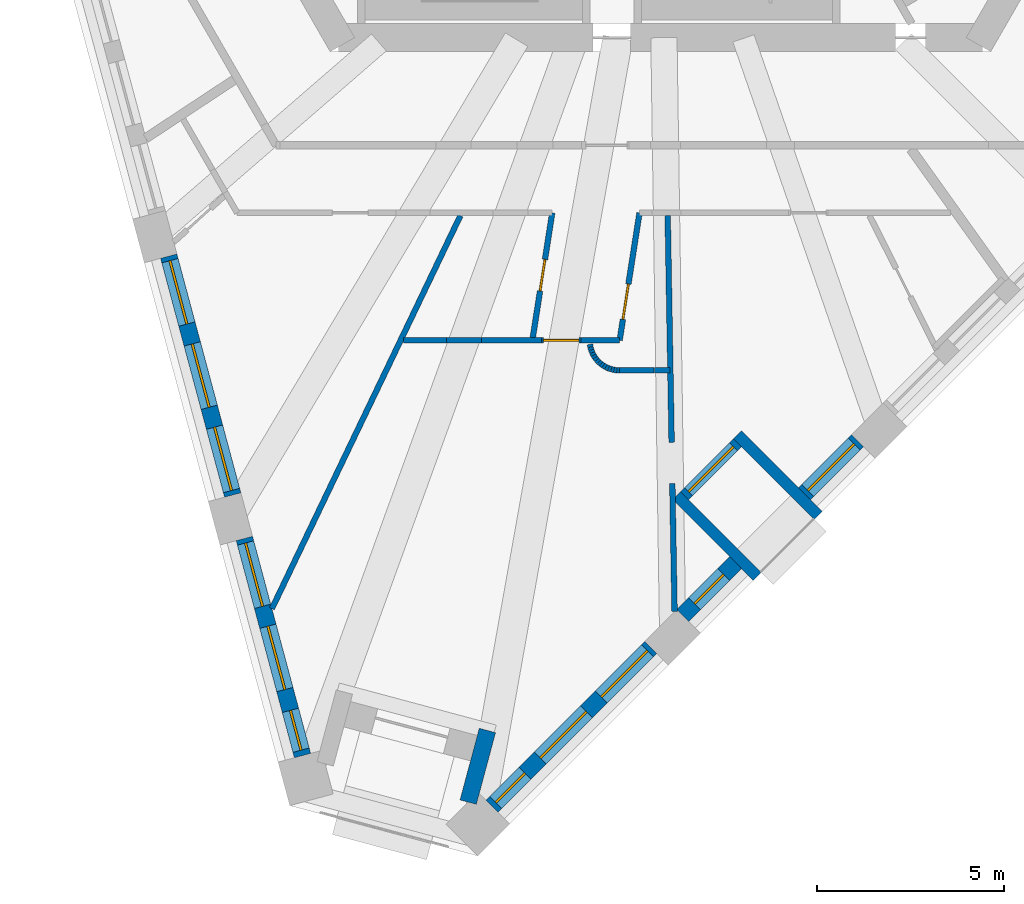
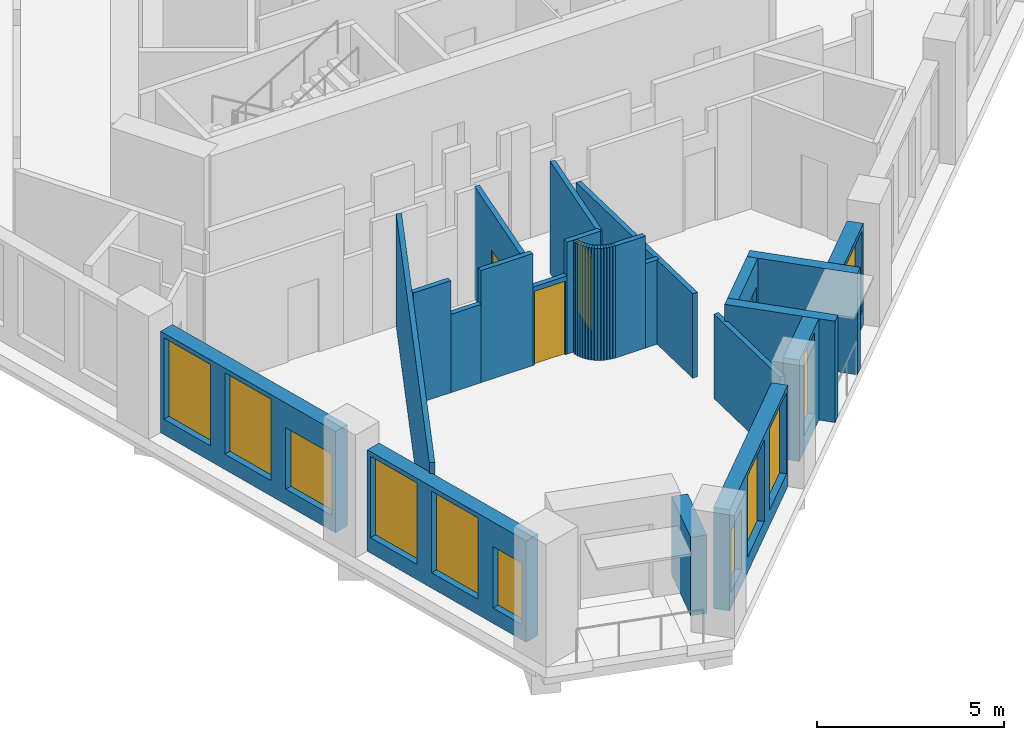
# One storey, part 2 of 13: 36 walls, 11 windows, 4 doors, 15 openings.
"""IFC4 building model written with IfcOpenShell, lengths in metres."""

from ifc_helpers import new_model, si_unit, direction, frame, frame_2d, origin, place, context, subcontext, project, spatial, rectangle, extrude, material, layer, layer_set, type_object, element, fill, save


model = new_model("IFC4")

# Units and contexts
model_context = context("Model", 3, precision=1e-05, world=origin(), true_north=direction((0.0, 1.0)))
body_context = subcontext(model_context, "Body", "Model", "MODEL_VIEW")
ifc_project = project(units=[si_unit("LENGTHUNIT", "METRE"), si_unit("AREAUNIT", "SQUARE_METRE"), si_unit("VOLUMEUNIT", "CUBIC_METRE"), si_unit("PLANEANGLEUNIT", "RADIAN"), si_unit("MASSUNIT", "GRAM", prefix="KILO")], contexts=[model_context])

# Site, building, storey
site_placement = place(None, origin())
site = spatial("IfcSite", under=ifc_project, at=site_placement, CompositionType="ELEMENT")
building_placement = place(site_placement, origin())
building = spatial("IfcBuilding", under=site, at=building_placement, Name="Tramontana Tower", CompositionType="ELEMENT")
storey_placement = place(building_placement, frame((0.0, 0.0, 216.0)))
storey = spatial("IfcBuildingStorey", under=building, at=storey_placement, Name="L50", CompositionType="ELEMENT", Elevation=216.0)

# Wall, openings, windows
ifc_material_1 = material(Name="Precast concrete 60 MPa", Category="concrete")
ifc_layer_1 = layer(ifc_material_1, 0.449951171875)
ifc_layer_set_1 = layer_set([ifc_layer_1], Name="Precast concrete 60 MPa, 450 mm")
wall_type_1 = type_object("IfcWallType", Name="EW1 Stone-faced precast wall 450", PredefinedType="SOLIDWALL", material=ifc_layer_set_1)
wall_1_placement = place(storey_placement, frame((-13.11328125, -12.2041015625, 0.0), z_axis=(0.0, 0.0, 1.0), x_axis=(0.258835402268, -0.965921443251, 0.0)))
wall_1 = element("IfcWall", 1, at=wall_1_placement, inside=storey, type_object=wall_type_1, Name="External wall L50 face 0 bay 5", PredefinedType="SOLIDWALL", context=body_context, shape_type="SweptSolid", body=[
    extrude(rectangle(XDim=6.593994140625, YDim=0.449951171875, at=frame_2d((3.296875, 0.0))), origin(), (0.0, 0.0, 1.0), 3.300048828125),
])
opening_1_placement = place(wall_1_placement, frame((0.1240234375, 0.0, 0.5)))
opening_1 = element("IfcOpeningElement", 2, at=opening_1_placement, cuts=wall_1, Name="Opening M2", PredefinedType="OPENING", context=body_context, shape_type="SweptSolid", body=[
    extrude(rectangle(XDim=1.75, YDim=2.64990234375, at=frame_2d((0.875, 1.324951171875))), frame((0.0, 0.23486328125, 0.0), z_axis=(0.0, -1.0, 0.0), x_axis=(1.0, 0.0, 0.0)), (0.0, 0.0, 1.0), 0.469970703125),
])
opening_2_placement = place(wall_1_placement, frame((2.422119140625, 0.0, 0.5)))
opening_2 = element("IfcOpeningElement", 3, at=opening_2_placement, cuts=wall_1, Name="Opening M2", PredefinedType="OPENING", context=body_context, shape_type="SweptSolid", body=[
    extrude(rectangle(XDim=1.75, YDim=2.64990234375, at=frame_2d((0.875, 1.324951171875))), frame((0.0, 0.23486328125, 0.0), z_axis=(0.0, -1.0, 0.0), x_axis=(1.0, 0.0, 0.0)), (0.0, 0.0, 1.0), 0.469970703125),
])
opening_3_placement = place(wall_1_placement, frame((4.72021484375, 0.0, 0.5)))
opening_3 = element("IfcOpeningElement", 4, at=opening_3_placement, cuts=wall_1, Name="Opening M2L", PredefinedType="OPENING", context=body_context, shape_type="SweptSolid", body=[
    extrude(rectangle(XDim=1.75, YDim=2.0, at=frame_2d((0.875, 1.0))), frame((0.0, 0.23486328125, 0.0), z_axis=(0.0, -1.0, 0.0), x_axis=(1.0, 0.0, 0.0)), (0.0, 0.0, 1.0), 0.469970703125),
])
ifc_material_2 = material(Name="Aluminum frame, double glazing unit", Category="aluminium")
window_type_1 = type_object("IfcWindowType", Name="M2 Window 1.75 x 2.65", PartitioningType="SINGLE_PANEL", PredefinedType="WINDOW", material=ifc_material_2)
window_1_placement = place(opening_1_placement, origin())
window_1 = element("IfcWindow", 5, at=window_1_placement, inside=storey, type_object=window_type_1, Name="Window M2 L50 face 0 module 13", OverallHeight=2.64990234375, OverallWidth=1.75, PartitioningType="SINGLE_PANEL", PredefinedType="WINDOW", context=body_context, shape_type="SweptSolid", body=[
    extrude(rectangle(XDim=1.75, YDim=2.64990234375, at=frame_2d((0.875, 1.324951171875))), frame((0.0, 0.030029296875, 0.0), z_axis=(0.0, -1.0, 0.0), x_axis=(1.0, 0.0, 0.0)), (0.0, 0.0, 1.0), 0.06005859375),
])
fill(opening_1, window_1)
window_2_placement = place(opening_2_placement, origin())
window_2 = element("IfcWindow", 6, at=window_2_placement, inside=storey, type_object=window_type_1, Name="Window M2 L50 face 0 module 14", OverallHeight=2.64990234375, OverallWidth=1.75, PartitioningType="SINGLE_PANEL", PredefinedType="WINDOW", context=body_context, shape_type="SweptSolid", body=[
    extrude(rectangle(XDim=1.75, YDim=2.64990234375, at=frame_2d((0.875, 1.324951171875))), frame((0.0, 0.030029296875, 0.0), z_axis=(0.0, -1.0, 0.0), x_axis=(1.0, 0.0, 0.0)), (0.0, 0.0, 1.0), 0.06005859375),
])
fill(opening_2, window_2)
ifc_material_3 = material(Name="Aluminum frame, double glazing unit", Category="aluminium")
window_type_2 = type_object("IfcWindowType", Name="M2L Window 1.75 x 2", PartitioningType="SINGLE_PANEL", PredefinedType="WINDOW", material=ifc_material_3)
window_3_placement = place(opening_3_placement, origin())
window_3 = element("IfcWindow", 7, at=window_3_placement, inside=storey, type_object=window_type_2, Name="Window M2L L50 face 0 module 15", OverallHeight=2.0, OverallWidth=1.75, PartitioningType="SINGLE_PANEL", PredefinedType="WINDOW", context=body_context, shape_type="SweptSolid", body=[
    extrude(rectangle(XDim=1.75, YDim=2.0, at=frame_2d((0.875, 1.0))), frame((0.0, 0.030029296875, 0.0), z_axis=(0.0, -1.0, 0.0), x_axis=(1.0, 0.0, 0.0)), (0.0, 0.0, 1.0), 0.06005859375),
])
fill(opening_3, window_3)

wall_2_placement = place(storey_placement, frame((-11.095947265625, -19.732666015625, 0.0), z_axis=(0.0, 0.0, 1.0), x_axis=(0.258831089404, -0.965922598948, 0.0)))
wall_2 = element("IfcWall", 8, at=wall_2_placement, inside=storey, type_object=wall_type_1, Name="External wall L50 face 0 bay 6", PredefinedType="SOLIDWALL", context=body_context, shape_type="SweptSolid", body=[
    extrude(rectangle(XDim=5.994384765625, YDim=0.449951171875, at=frame_2d((2.9970703125, 0.0))), origin(), (0.0, 0.0, 1.0), 3.300048828125),
])
opening_4_placement = place(wall_2_placement, frame((0.1240234375, 0.0, 0.5)))
opening_4 = element("IfcOpeningElement", 9, at=opening_4_placement, cuts=wall_2, Name="Opening M2", PredefinedType="OPENING", context=body_context, shape_type="SweptSolid", body=[
    extrude(rectangle(XDim=1.75, YDim=2.64990234375, at=frame_2d((0.875, 1.324951171875))), frame((0.0, 0.23486328125, 0.0), z_axis=(0.0, -1.0, 0.0), x_axis=(1.0, 0.0, 0.0)), (0.0, 0.0, 1.0), 0.469970703125),
])
opening_5_placement = place(wall_2_placement, frame((2.422119140625, 0.0, 0.5)))
opening_5 = element("IfcOpeningElement", 10, at=opening_5_placement, cuts=wall_2, Name="Opening M2", PredefinedType="OPENING", context=body_context, shape_type="SweptSolid", body=[
    extrude(rectangle(XDim=1.75, YDim=2.64990234375, at=frame_2d((0.875, 1.324951171875))), frame((0.0, 0.23486328125, 0.0), z_axis=(0.0, -1.0, 0.0), x_axis=(1.0, 0.0, 0.0)), (0.0, 0.0, 1.0), 0.469970703125),
])
opening_6_placement = place(wall_2_placement, frame((4.7451171875, 0.0, 0.5)))
opening_6 = element("IfcOpeningElement", 11, at=opening_6_placement, cuts=wall_2, Name="Opening N2L", PredefinedType="OPENING", context=body_context, shape_type="SweptSolid", body=[
    extrude(rectangle(XDim=1.10009765625, YDim=2.0, at=frame_2d((0.550048828125, 1.0))), frame((0.0, 0.23486328125, 0.0), z_axis=(0.0, -1.0, 0.0), x_axis=(1.0, 0.0, 0.0)), (0.0, 0.0, 1.0), 0.469970703125),
])
window_4_placement = place(opening_4_placement, origin())
window_4 = element("IfcWindow", 12, at=window_4_placement, inside=storey, type_object=window_type_1, Name="Window M2 L50 face 0 module 16", OverallHeight=2.64990234375, OverallWidth=1.75, PartitioningType="SINGLE_PANEL", PredefinedType="WINDOW", context=body_context, shape_type="SweptSolid", body=[
    extrude(rectangle(XDim=1.75, YDim=2.64990234375, at=frame_2d((0.875, 1.324951171875))), frame((0.0, 0.030029296875, 0.0), z_axis=(0.0, -1.0, 0.0), x_axis=(1.0, 0.0, 0.0)), (0.0, 0.0, 1.0), 0.06005859375),
])
fill(opening_4, window_4)
window_5_placement = place(opening_5_placement, origin())
window_5 = element("IfcWindow", 13, at=window_5_placement, inside=storey, type_object=window_type_1, Name="Window M2 L50 face 0 module 17", OverallHeight=2.64990234375, OverallWidth=1.75, PartitioningType="SINGLE_PANEL", PredefinedType="WINDOW", context=body_context, shape_type="SweptSolid", body=[
    extrude(rectangle(XDim=1.75, YDim=2.64990234375, at=frame_2d((0.875, 1.324951171875))), frame((0.0, 0.030029296875, 0.0), z_axis=(0.0, -1.0, 0.0), x_axis=(1.0, 0.0, 0.0)), (0.0, 0.0, 1.0), 0.06005859375),
])
fill(opening_5, window_5)
ifc_material_4 = material(Name="Aluminum frame, double glazing unit", Category="aluminium")
window_type_3 = type_object("IfcWindowType", Name="N2L Window 1.1 x 2", PartitioningType="SINGLE_PANEL", PredefinedType="WINDOW", material=ifc_material_4)
window_6_placement = place(opening_6_placement, origin())
window_6 = element("IfcWindow", 14, at=window_6_placement, inside=storey, type_object=window_type_3, Name="Window N2L L50 face 0 module 18", OverallHeight=2.0, OverallWidth=1.10009765625, PartitioningType="SINGLE_PANEL", PredefinedType="WINDOW", context=body_context, shape_type="SweptSolid", body=[
    extrude(rectangle(XDim=1.10009765625, YDim=2.0, at=frame_2d((0.550048828125, 1.0))), frame((0.0, 0.030029296875, 0.0), z_axis=(0.0, -1.0, 0.0), x_axis=(1.0, 0.0, 0.0)), (0.0, 0.0, 1.0), 0.06005859375),
])
fill(opening_6, window_6)

wall_3_placement = place(storey_placement, frame((-4.49560546875, -26.87548828125, 0.0), z_axis=(0.0, 0.0, 1.0), x_axis=(0.707106781187, 0.707106781187, 0.0)))
wall_3 = element("IfcWall", 15, at=wall_3_placement, inside=storey, type_object=wall_type_1, Name="External wall L50 face 1 bay 1", PredefinedType="SOLIDWALL", context=body_context, shape_type="SweptSolid", body=[
    extrude(rectangle(XDim=5.994140625, YDim=0.449951171875, at=frame_2d((2.9970703125, 0.0))), origin(), (0.0, 0.0, 1.0), 3.300048828125),
])
opening_7_placement = place(wall_3_placement, frame((0.14892578125, 0.0, 0.5)))
opening_7 = element("IfcOpeningElement", 16, at=opening_7_placement, cuts=wall_3, Name="Opening N2L", PredefinedType="OPENING", context=body_context, shape_type="SweptSolid", body=[
    extrude(rectangle(XDim=1.10009765625, YDim=2.0, at=frame_2d((0.550048828125, 1.0))), frame((0.0, 0.23486328125, 0.0), z_axis=(0.0, -1.0, 0.0), x_axis=(1.0, 0.0, 0.0)), (0.0, 0.0, 1.0), 0.469970703125),
])
opening_8_placement = place(wall_3_placement, frame((1.822021484375, 0.0, 0.5)))
opening_8 = element("IfcOpeningElement", 17, at=opening_8_placement, cuts=wall_3, Name="Opening M2", PredefinedType="OPENING", context=body_context, shape_type="SweptSolid", body=[
    extrude(rectangle(XDim=1.75, YDim=2.64990234375, at=frame_2d((0.875, 1.324951171875))), frame((0.0, 0.23486328125, 0.0), z_axis=(0.0, -1.0, 0.0), x_axis=(1.0, 0.0, 0.0)), (0.0, 0.0, 1.0), 0.469970703125),
])
opening_9_placement = place(wall_3_placement, frame((4.1201171875, 0.0, 0.5)))
opening_9 = element("IfcOpeningElement", 18, at=opening_9_placement, cuts=wall_3, Name="Opening M2", PredefinedType="OPENING", context=body_context, shape_type="SweptSolid", body=[
    extrude(rectangle(XDim=1.75, YDim=2.64990234375, at=frame_2d((0.875, 1.324951171875))), frame((0.0, 0.23486328125, 0.0), z_axis=(0.0, -1.0, 0.0), x_axis=(1.0, 0.0, 0.0)), (0.0, 0.0, 1.0), 0.469970703125),
])
window_7_placement = place(opening_8_placement, origin())
window_7 = element("IfcWindow", 19, at=window_7_placement, inside=storey, type_object=window_type_1, Name="Window M2 L50 face 1 module 2", OverallHeight=2.64990234375, OverallWidth=1.75, PartitioningType="SINGLE_PANEL", PredefinedType="WINDOW", context=body_context, shape_type="SweptSolid", body=[
    extrude(rectangle(XDim=1.75, YDim=2.64990234375, at=frame_2d((0.875, 1.324951171875))), frame((0.0, 0.030029296875, 0.0), z_axis=(0.0, -1.0, 0.0), x_axis=(1.0, 0.0, 0.0)), (0.0, 0.0, 1.0), 0.06005859375),
])
fill(opening_8, window_7)
window_8_placement = place(opening_9_placement, origin())
window_8 = element("IfcWindow", 20, at=window_8_placement, inside=storey, type_object=window_type_1, Name="Window M2 L50 face 1 module 3", OverallHeight=2.64990234375, OverallWidth=1.75, PartitioningType="SINGLE_PANEL", PredefinedType="WINDOW", context=body_context, shape_type="SweptSolid", body=[
    extrude(rectangle(XDim=1.75, YDim=2.64990234375, at=frame_2d((0.875, 1.324951171875))), frame((0.0, 0.030029296875, 0.0), z_axis=(0.0, -1.0, 0.0), x_axis=(1.0, 0.0, 0.0)), (0.0, 0.0, 1.0), 0.06005859375),
])
fill(opening_9, window_8)
window_9_placement = place(opening_7_placement, origin())
window_9 = element("IfcWindow", 21, at=window_9_placement, inside=storey, type_object=window_type_3, Name="Window N2L L50 face 1 module 1", OverallHeight=2.0, OverallWidth=1.10009765625, PartitioningType="SINGLE_PANEL", PredefinedType="WINDOW", context=body_context, shape_type="SweptSolid", body=[
    extrude(rectangle(XDim=1.10009765625, YDim=2.0, at=frame_2d((0.550048828125, 1.0))), frame((0.0, 0.030029296875, 0.0), z_axis=(0.0, -1.0, 0.0), x_axis=(1.0, 0.0, 0.0)), (0.0, 0.0, 1.0), 0.06005859375),
])
fill(opening_7, window_9)

# Wall, opening, window
wall_4_placement = place(storey_placement, frame((0.591552734375, -21.788330078125, 0.0), z_axis=(0.0, 0.0, 1.0), x_axis=(0.707106781187, 0.707106781187, 0.0)))
wall_4 = element("IfcWall", 22, at=wall_4_placement, inside=storey, type_object=wall_type_1, Name="External wall L50 face 1 bay 2", PredefinedType="SOLIDWALL", context=body_context, shape_type="SweptSolid", body=[
    extrude(rectangle(XDim=1.998046875, YDim=0.449951171875, at=frame_2d((0.9990234375, 0.0))), origin(), (0.0, 0.0, 1.0), 3.300048828125),
])
opening_10_placement = place(wall_4_placement, frame((0.448974609375, 0.0, 0.5)))
opening_10 = element("IfcOpeningElement", 23, at=opening_10_placement, cuts=wall_4, Name="Opening N2", PredefinedType="OPENING", context=body_context, shape_type="SweptSolid", body=[
    extrude(rectangle(XDim=1.10009765625, YDim=2.64990234375, at=frame_2d((0.550048828125, 1.324951171875))), frame((0.0, 0.23486328125, 0.0), z_axis=(0.0, -1.0, 0.0), x_axis=(1.0, 0.0, 0.0)), (0.0, 0.0, 1.0), 0.469970703125),
])
ifc_material_5 = material(Name="Aluminum frame, double glazing unit", Category="aluminium")
window_type_4 = type_object("IfcWindowType", Name="N2 Window 1.1 x 2.65", PartitioningType="SINGLE_PANEL", PredefinedType="WINDOW", material=ifc_material_5)
window_10_placement = place(opening_10_placement, origin())
window_10 = element("IfcWindow", 24, at=window_10_placement, inside=storey, type_object=window_type_4, Name="Window N2 L50 face 1 module 4", OverallHeight=2.64990234375, OverallWidth=1.10009765625, PartitioningType="SINGLE_PANEL", PredefinedType="WINDOW", context=body_context, shape_type="SweptSolid", body=[
    extrude(rectangle(XDim=1.10009765625, YDim=2.64990234375, at=frame_2d((0.550048828125, 1.324951171875))), frame((0.0, 0.030029296875, 0.0), z_axis=(0.0, -1.0, 0.0), x_axis=(1.0, 0.0, 0.0)), (0.0, 0.0, 1.0), 0.06005859375),
])
fill(opening_10, window_10)

wall_5_placement = place(storey_placement, frame((3.841552734375, -18.538330078125, 0.0), z_axis=(0.0, 0.0, 1.0), x_axis=(0.707106781187, 0.707106781187, 0.0)))
wall_5 = element("IfcWall", 25, at=wall_5_placement, inside=storey, type_object=wall_type_1, Name="External wall L50 face 1 bay 2", PredefinedType="SOLIDWALL", context=body_context, shape_type="SweptSolid", body=[
    extrude(rectangle(XDim=1.998046875, YDim=0.449951171875, at=frame_2d((0.9990234375, 0.0))), origin(), (0.0, 0.0, 1.0), 3.300048828125),
])
opening_11_placement = place(wall_5_placement, frame((0.1240234375, 0.0, 0.5)))
opening_11 = element("IfcOpeningElement", 26, at=opening_11_placement, cuts=wall_5, Name="Opening M2", PredefinedType="OPENING", context=body_context, shape_type="SweptSolid", body=[
    extrude(rectangle(XDim=1.75, YDim=2.64990234375, at=frame_2d((0.875, 1.324951171875))), frame((0.0, 0.23486328125, 0.0), z_axis=(0.0, -1.0, 0.0), x_axis=(1.0, 0.0, 0.0)), (0.0, 0.0, 1.0), 0.469970703125),
])
window_11_placement = place(opening_11_placement, origin())
window_11 = element("IfcWindow", 27, at=window_11_placement, inside=storey, type_object=window_type_1, Name="Window M2 L50 face 1 module 6", OverallHeight=2.64990234375, OverallWidth=1.75, PartitioningType="SINGLE_PANEL", PredefinedType="WINDOW", context=body_context, shape_type="SweptSolid", body=[
    extrude(rectangle(XDim=1.75, YDim=2.64990234375, at=frame_2d((0.875, 1.324951171875))), frame((0.0, 0.030029296875, 0.0), z_axis=(0.0, -1.0, 0.0), x_axis=(1.0, 0.0, 0.0)), (0.0, 0.0, 1.0), 0.06005859375),
])
fill(opening_11, window_11)

# Wall
wall_6_placement = place(storey_placement, frame((-5.126708984375, -26.76416015625, 0.0), z_axis=(0.0, 0.0, 1.0), x_axis=(0.258814190615, 0.965927127032, 0.0)))
element("IfcWall", 28, at=wall_6_placement, inside=storey, type_object=wall_type_1, Name="Corner loggia side wall L50 K51l", PredefinedType="SOLIDWALL", context=body_context, shape_type="SweptSolid", body=[
    extrude(rectangle(XDim=1.97900390625, YDim=0.449951171875, at=frame_2d((0.989501953125, 0.0))), origin(), (0.0, 0.0, 1.0), 2.550048828125),
])

# Wall, opening, door
ifc_material_6 = material(Name="Precast concrete 60 MPa", Category="concrete")
ifc_layer_2 = layer(ifc_material_6, 0.300048828125)
ifc_layer_set_2 = layer_set([ifc_layer_2], Name="LW1 Stone-faced loggia wall 300")
wall_type_2 = type_object("IfcWallType", Name="LW1 Stone-faced loggia wall 300", PredefinedType="SOLIDWALL", material=ifc_layer_set_2)
wall_7_placement = place(storey_placement, frame((0.643310546875, -18.590087890625, 0.0), z_axis=(0.0, 0.0, 1.0), x_axis=(0.707106781187, 0.707106781187, 0.0)))
wall_7 = element("IfcWall", 29, at=wall_7_placement, inside=storey, type_object=wall_type_2, Name="Loggia wall L50 G5S1.4", PredefinedType="SOLIDWALL", context=body_context, shape_type="SweptSolid", body=[
    extrude(rectangle(XDim=1.998046875, YDim=0.300048828125, at=frame_2d((0.9990234375, 0.0))), origin(), (0.0, 0.0, 1.0), 3.300048828125),
])
opening_12_placement = place(wall_7_placement, frame((0.14892578125, 0.0, 0.0)))
opening_12 = element("IfcOpeningElement", 30, at=opening_12_placement, cuts=wall_7, Name="Opening BD-5S1-04", PredefinedType="OPENING", context=body_context, shape_type="SweptSolid", body=[
    extrude(rectangle(XDim=1.699951171875, YDim=2.449951171875, at=frame_2d((0.85009765625, 1.22509765625))), frame((0.0, 0.159912109375, 0.0), z_axis=(0.0, -1.0, 0.0), x_axis=(1.0, 0.0, 0.0)), (0.0, 0.0, 1.0), 0.320068359375),
])
ifc_material_7 = material(Name="Aluminum frame, double glazing unit", Category="aluminium")
door_type_1 = type_object("IfcDoorType", Name="BD2 Sliding door 1.7 x 2.45", OperationType="SLIDING_TO_LEFT", PredefinedType="DOOR", material=ifc_material_7)
door_1_placement = place(opening_12_placement, origin())
door_1 = element("IfcDoor", 31, at=door_1_placement, inside=storey, type_object=door_type_1, Name="Loggia door L50 G5S1.4", OperationType="SLIDING_TO_LEFT", OverallHeight=2.449951171875, OverallWidth=1.699951171875, PredefinedType="DOOR", context=body_context, shape_type="SweptSolid", body=[
    extrude(rectangle(XDim=1.699951171875, YDim=2.449951171875, at=frame_2d((0.85009765625, 1.22509765625))), frame((0.0, 0.02490234375, 0.0), z_axis=(0.0, -1.0, 0.0), x_axis=(1.0, 0.0, 0.0)), (0.0, 0.0, 1.0), 0.050048828125),
])
fill(opening_12, door_1)

# Walls
for number, where, z_axis, x_axis, name in (
    (32, (2.587646484375, -20.746826171875, 0.0), (0.0, 0.0, 1.0), (-0.707066755897, 0.707146804211, 0.0), "Loggia return L50 G5S1.4a"),
    (33, (4.212646484375, -19.121826171875, 0.0), (0.0, 0.0, 1.0), (-0.707066755897, 0.707146804211, 0.0), "Loggia return L50 G5S1.4b"),
):
    element("IfcWall", number, at=place(storey_placement, frame(where, z_axis=z_axis, x_axis=x_axis)), inside=storey, type_object=wall_type_2, Name=name, PredefinedType="SOLIDWALL", context=body_context, shape_type="SweptSolid", body=[
        extrude(rectangle(XDim=3.0498046875, YDim=0.300048828125, at=frame_2d((1.52490234375, 0.0))), origin(), (0.0, 0.0, 1.0), 3.300048828125),
    ])
ifc_material_8 = material(Name="Gypsum board partition")
ifc_layer_3 = layer(ifc_material_8, 0.14990234375)
ifc_layer_set_3 = layer_set([ifc_layer_3], Name="PARTITION 150")
wall_type_3 = type_object("IfcWallType", Name="PARTITION 150", PredefinedType="PARTITIONING", material=ifc_layer_set_3)
wall_8_placement = place(storey_placement, frame((-10.361328125, -21.604248046875, 0.0), z_axis=(0.0, 0.0, 1.0), x_axis=(0.432440122573, 0.901662653318, 0.0)))
element("IfcWall", 34, at=wall_8_placement, inside=storey, type_object=wall_type_3, Name="Wall v51-pw26", PredefinedType="PARTITIONING", context=body_context, shape_type="SweptSolid", body=[
    extrude(rectangle(XDim=11.6220703125, YDim=0.14990234375, at=frame_2d((5.81103515625, 0.0))), origin(), (0.0, 0.0, 1.0), 3.64990234375),
])

# Wall, opening, door
wall_9_placement = place(storey_placement, frame((-3.40380859375, -14.375, 0.0), z_axis=(0.0, 0.0, 1.0), x_axis=(0.153954145104, 0.988077993483, 0.0)))
wall_9 = element("IfcWall", 35, at=wall_9_placement, inside=storey, type_object=wall_type_3, Name="Wall v51-pw31", PredefinedType="PARTITIONING", context=body_context, shape_type="SweptSolid", body=[
    extrude(rectangle(XDim=3.364990234375, YDim=0.14990234375, at=frame_2d((1.6826171875, 0.0))), origin(), (0.0, 0.0, 1.0), 3.64990234375),
])
opening_13_placement = place(wall_9_placement, frame((1.257568359375, 0.0, 0.0)))
opening_13 = element("IfcOpeningElement", 36, at=opening_13_placement, cuts=wall_9, Name="Opening B5B-07", PredefinedType="OPENING", context=body_context, shape_type="SweptSolid", body=[
    extrude(rectangle(XDim=0.85009765625, YDim=2.39990234375, at=frame_2d((0.425048828125, 1.199951171875))), frame((0.0, 0.0849609375, 0.0), z_axis=(0.0, -1.0, 0.0), x_axis=(1.0, 0.0, 0.0)), (0.0, 0.0, 1.0), 0.169921875),
])
ifc_material_9 = material(Name="Painted timber", Category="wood")
door_type_2 = type_object("IfcDoorType", Name="DOOR BATH 850", OperationType="SINGLE_SWING_LEFT", PredefinedType="DOOR", material=ifc_material_9)
door_2_placement = place(opening_13_placement, origin())
door_2 = element("IfcDoor", 37, at=door_2_placement, inside=storey, type_object=door_type_2, Name="Door B5B-07", OperationType="SINGLE_SWING_LEFT", OverallHeight=2.39990234375, OverallWidth=0.85009765625, PredefinedType="DOOR", context=body_context, shape_type="SweptSolid", body=[
    extrude(rectangle(XDim=0.85009765625, YDim=2.39990234375, at=frame_2d((0.425048828125, 1.199951171875))), frame((0.0, 0.02490234375, 0.0), z_axis=(0.0, -1.0, 0.0), x_axis=(1.0, 0.0, 0.0)), (0.0, 0.0, 1.0), 0.050048828125),
])
fill(opening_13, door_2)

# Walls
for number, where, z_axis, x_axis, name in (
    (38, (-1.866943359375, -14.63134765625, 0.0), (0.0, 0.0, 1.0), (-0.1788854382, 0.9838699101, 0.0), "Wall v51-pw33"),
    (39, (-1.845947265625, -14.705078125, 0.0), (0.0, 0.0, 1.0), (-0.274721127897, 0.961523947641, 0.0), "Wall v51-pw34"),
    (40, (-1.818115234375, -14.776611328125, 0.0), (0.0, 0.0, 1.0), (-0.363677532225, 0.931524907104, 0.0), "Wall v51-pw35"),
):
    element("IfcWall", number, at=place(storey_placement, frame(where, z_axis=z_axis, x_axis=x_axis)), inside=storey, type_object=wall_type_3, Name=name, PredefinedType="PARTITIONING", context=body_context, shape_type="SweptSolid", body=[
        extrude(rectangle(XDim=0.076416015625, YDim=0.14990234375, at=frame_2d((0.0380859375, 0.0))), origin(), (0.0, 0.0, 1.0), 3.64990234375),
    ])
for number, where, z_axis, x_axis, name in (
    (41, (-1.783447265625, -14.844970703125, 0.0), (0.0, 0.0, 1.0), (-0.452302704274, 0.8918644873, 0.0), "Wall v51-pw36"),
    (42, (-1.742431640625, -14.90966796875, 0.0), (0.0, 0.0, 1.0), (-0.535431141917, 0.844578884572, 0.0), "Wall v51-pw37"),
):
    element("IfcWall", number, at=place(storey_placement, frame(where, z_axis=z_axis, x_axis=x_axis)), inside=storey, type_object=wall_type_3, Name=name, PredefinedType="PARTITIONING", context=body_context, shape_type="SweptSolid", body=[
        extrude(rectangle(XDim=0.07666015625, YDim=0.14990234375, at=frame_2d((0.038330078125, 0.0))), origin(), (0.0, 0.0, 1.0), 3.64990234375),
    ])
for number, where, z_axis, x_axis, name in (
    (43, (-1.695556640625, -14.97021484375, 0.0), (0.0, 0.0, 1.0), (-0.613719296373, 0.789524303147, 0.0), "Wall v51-pw38"),
    (44, (-1.64306640625, -15.026123046875, 0.0), (0.0, 0.0, 1.0), (-0.684366522653, 0.729138164322, 0.0), "Wall v51-pw39"),
    (45, (-1.585205078125, -15.076416015625, 0.0), (0.0, 0.0, 1.0), (-0.753367147722, 0.657600137419, 0.0), "Wall v51-pw40"),
):
    element("IfcWall", number, at=place(storey_placement, frame(where, z_axis=z_axis, x_axis=x_axis)), inside=storey, type_object=wall_type_3, Name=name, PredefinedType="PARTITIONING", context=body_context, shape_type="SweptSolid", body=[
        extrude(rectangle(XDim=0.076416015625, YDim=0.14990234375, at=frame_2d((0.0380859375, 0.0))), origin(), (0.0, 0.0, 1.0), 3.64990234375),
    ])
for number, where, z_axis, x_axis, name in (
    (46, (-1.52294921875, -15.121337890625, 0.0), (0.0, 0.0, 1.0), (-0.812439824754, 0.583045050706, 0.0), "Wall v51-pw41"),
    (47, (-1.456787109375, -15.159912109375, 0.0), (0.0, 0.0, 1.0), (-0.863894497941, 0.503672806917, 0.0), "Wall v51-pw42"),
):
    element("IfcWall", number, at=place(storey_placement, frame(where, z_axis=z_axis, x_axis=x_axis)), inside=storey, type_object=wall_type_3, Name=name, PredefinedType="PARTITIONING", context=body_context, shape_type="SweptSolid", body=[
        extrude(rectangle(XDim=0.07666015625, YDim=0.14990234375, at=frame_2d((0.038330078125, 0.0))), origin(), (0.0, 0.0, 1.0), 3.64990234375),
    ])
for number, where, z_axis, x_axis, name in (
    (48, (-1.38720703125, -15.19189453125, 0.0), (0.0, 0.0, 1.0), (-0.908052943408, 0.418855406994, 0.0), "Wall v51-pw43"),
    (49, (-1.314697265625, -15.217041015625, 0.0), (0.0, 0.0, 1.0), (-0.944453743444, 0.328644376942, 0.0), "Wall v51-pw44"),
):
    element("IfcWall", number, at=place(storey_placement, frame(where, z_axis=z_axis, x_axis=x_axis)), inside=storey, type_object=wall_type_3, Name=name, PredefinedType="PARTITIONING", context=body_context, shape_type="SweptSolid", body=[
        extrude(rectangle(XDim=0.076416015625, YDim=0.14990234375, at=frame_2d((0.0380859375, 0.0))), origin(), (0.0, 0.0, 1.0), 3.64990234375),
    ])
wall_10_placement = place(storey_placement, frame((-1.240234375, -15.2353515625, 0.0), z_axis=(0.0, 0.0, 1.0), x_axis=(-0.9718058735, 0.235782408653, 0.0)))
element("IfcWall", 50, at=wall_10_placement, inside=storey, type_object=wall_type_3, Name="Wall v51-pw45", PredefinedType="PARTITIONING", context=body_context, shape_type="SweptSolid", body=[
    extrude(rectangle(XDim=0.07666015625, YDim=0.14990234375, at=frame_2d((0.038330078125, 0.0))), origin(), (0.0, 0.0, 1.0), 3.64990234375),
])
for number, where, z_axis, x_axis, name in (
    (51, (-1.16455078125, -15.246337890625, 0.0), (0.0, 0.0, 1.0), (-0.98962773674, 0.143655639204, 0.0), "Wall v51-pw46"),
    (52, (-1.087890625, -15.25, 0.0), (0.0, 0.0, 1.0), (-0.99885365176, 0.047868385867, 0.0), "Wall v51-pw47"),
):
    element("IfcWall", number, at=place(storey_placement, frame(where, z_axis=z_axis, x_axis=x_axis)), inside=storey, type_object=wall_type_3, Name=name, PredefinedType="PARTITIONING", context=body_context, shape_type="SweptSolid", body=[
        extrude(rectangle(XDim=0.076416015625, YDim=0.14990234375, at=frame_2d((0.0380859375, 0.0))), origin(), (0.0, 0.0, 1.0), 3.64990234375),
    ])
wall_11_placement = place(storey_placement, frame((-1.087890625, -14.449951171875, 0.0), z_axis=(0.0, 0.0, 1.0), x_axis=(-1.0, 0.0, 0.0)))
element("IfcWall", 53, at=wall_11_placement, inside=storey, type_object=wall_type_3, Name="Wall v51-pw48-0", PredefinedType="PARTITIONING", context=body_context, shape_type="SweptSolid", body=[
    extrude(rectangle(XDim=1.036865234375, YDim=0.14990234375, at=frame_2d((0.5185546875, 0.0))), origin(), (0.0, 0.0, 1.0), 3.64990234375),
])

# Wall, opening, door
wall_12_placement = place(storey_placement, frame((-2.124755859375, -14.449951171875, 0.0), z_axis=(0.0, 0.0, 1.0), x_axis=(-1.0, 0.0, 0.0)))
wall_12 = element("IfcWall", 54, at=wall_12_placement, inside=storey, type_object=wall_type_3, Name="Wall v51-pw48-1", PredefinedType="PARTITIONING", context=body_context, shape_type="SweptSolid", body=[
    extrude(rectangle(XDim=1.050048828125, YDim=0.14990234375, at=frame_2d((0.52490234375, 0.0))), origin(), (0.0, 0.0, 1.0), 2.550048828125),
])
opening_14_placement = place(wall_12_placement, frame((0.050048828125, 0.0, 0.0)))
opening_14 = element("IfcOpeningElement", 55, at=opening_14_placement, cuts=wall_12, Name="Opening B5B-08", PredefinedType="OPENING", context=body_context, shape_type="SweptSolid", body=[
    extrude(rectangle(XDim=0.949951171875, YDim=2.39990234375, at=frame_2d((0.47509765625, 1.199951171875))), frame((0.0, 0.0849609375, 0.0), z_axis=(0.0, -1.0, 0.0), x_axis=(1.0, 0.0, 0.0)), (0.0, 0.0, 1.0), 0.169921875),
])
ifc_material_10 = material(Name="Painted timber", Category="wood")
door_type_3 = type_object("IfcDoorType", Name="DOOR ROOM 950", OperationType="SINGLE_SWING_LEFT", PredefinedType="DOOR", material=ifc_material_10)
door_3_placement = place(opening_14_placement, origin())
door_3 = element("IfcDoor", 56, at=door_3_placement, inside=storey, type_object=door_type_3, Name="Door B5B-08", OperationType="SINGLE_SWING_RIGHT", OverallHeight=2.39990234375, OverallWidth=0.949951171875, PredefinedType="DOOR", context=body_context, shape_type="SweptSolid", body=[
    extrude(rectangle(XDim=0.949951171875, YDim=2.39990234375, at=frame_2d((0.47509765625, 1.199951171875))), frame((0.0, 0.02490234375, 0.0), z_axis=(0.0, -1.0, 0.0), x_axis=(1.0, 0.0, 0.0)), (0.0, 0.0, 1.0), 0.050048828125),
])
fill(opening_14, door_3)

# Walls
wall_13_placement = place(storey_placement, frame((-3.1748046875, -14.449951171875, 0.0), z_axis=(0.0, 0.0, 1.0), x_axis=(-1.0, 0.0, 0.0)))
element("IfcWall", 57, at=wall_13_placement, inside=storey, type_object=wall_type_3, Name="Wall v51-pw48-2", PredefinedType="PARTITIONING", context=body_context, shape_type="SweptSolid", body=[
    extrude(rectangle(XDim=1.593994140625, YDim=0.14990234375, at=frame_2d((0.796875, 0.0))), origin(), (0.0, 0.0, 1.0), 3.64990234375),
])
wall_14_placement = place(storey_placement, frame((-4.768798828125, -14.449951171875, 0.0), z_axis=(0.0, 0.0, 1.0), x_axis=(-1.0, 0.0, 0.0)))
element("IfcWall", 58, at=wall_14_placement, inside=storey, type_object=wall_type_3, Name="Wall v51-pw48-3", PredefinedType="PARTITIONING", context=body_context, shape_type="SweptSolid", body=[
    extrude(rectangle(XDim=0.930419921875, YDim=0.14990234375, at=frame_2d((0.46533203125, 0.0))), origin(), (0.0, 0.0, 1.0), 2.550048828125),
])
wall_15_placement = place(storey_placement, frame((-5.69921875, -14.449951171875, 0.0), z_axis=(0.0, 0.0, 1.0), x_axis=(-1.0, 0.0, 0.0)))
element("IfcWall", 59, at=wall_15_placement, inside=storey, type_object=wall_type_3, Name="Wall v51-pw48-4", PredefinedType="PARTITIONING", context=body_context, shape_type="SweptSolid", body=[
    extrude(rectangle(XDim=1.147705078125, YDim=0.14990234375, at=frame_2d((0.57373046875, 0.0))), origin(), (0.0, 0.0, 1.0), 3.64990234375),
])

# Wall, opening, door
wall_16_placement = place(storey_placement, frame((-0.55810546875, -11.050048828125, 0.0), z_axis=(0.0, 0.0, 1.0), x_axis=(-0.153965629941, -0.988076203942, 0.0)))
wall_16 = element("IfcWall", 60, at=wall_16_placement, inside=storey, type_object=wall_type_3, Name="Wall v51-pw49", PredefinedType="PARTITIONING", context=body_context, shape_type="SweptSolid", body=[
    extrude(rectangle(XDim=3.44091796875, YDim=0.14990234375, at=frame_2d((1.720458984375, 0.0))), origin(), (0.0, 0.0, 1.0), 3.64990234375),
])
opening_15_placement = place(wall_16_placement, frame((1.919921875, 0.0, 0.0)))
opening_15 = element("IfcOpeningElement", 61, at=opening_15_placement, cuts=wall_16, Name="Opening B5B-06", PredefinedType="OPENING", context=body_context, shape_type="SweptSolid", body=[
    extrude(rectangle(XDim=0.949951171875, YDim=2.39990234375, at=frame_2d((0.47509765625, 1.199951171875))), frame((0.0, 0.0849609375, 0.0), z_axis=(0.0, -1.0, 0.0), x_axis=(1.0, 0.0, 0.0)), (0.0, 0.0, 1.0), 0.169921875),
])
door_4_placement = place(opening_15_placement, origin())
door_4 = element("IfcDoor", 62, at=door_4_placement, inside=storey, type_object=door_type_3, Name="Door B5B-06", OperationType="SINGLE_SWING_RIGHT", OverallHeight=2.39990234375, OverallWidth=0.949951171875, PredefinedType="DOOR", context=body_context, shape_type="SweptSolid", body=[
    extrude(rectangle(XDim=0.949951171875, YDim=2.39990234375, at=frame_2d((0.47509765625, 1.199951171875))), frame((0.0, 0.02490234375, 0.0), z_axis=(0.0, -1.0, 0.0), x_axis=(1.0, 0.0, 0.0)), (0.0, 0.0, 1.0), 0.050048828125),
])
fill(opening_15, door_4)

# Walls
wall_17_placement = place(storey_placement, frame((0.193359375, -11.125, 0.0), z_axis=(0.0, 0.0, 1.0), x_axis=(0.017371817544, -0.999849098592, 0.0)))
element("IfcWall", 63, at=wall_17_placement, inside=storey, type_object=wall_type_3, Name="Wall v51-pw50-0", PredefinedType="PARTITIONING", context=body_context, shape_type="SweptSolid", body=[
    extrude(rectangle(XDim=6.043212890625, YDim=0.14990234375, at=frame_2d((3.021484375, 0.0))), origin(), (0.0, 0.0, 1.0), 2.75),
])
wall_18_placement = place(storey_placement, frame((0.251220703125, -15.25, 0.0), z_axis=(0.0, 0.0, 1.0), x_axis=(-1.0, 0.0, 0.0)))
element("IfcWall", 64, at=wall_18_placement, inside=storey, type_object=wall_type_3, Name="Wall v51-pw51-0", PredefinedType="PARTITIONING", context=body_context, shape_type="SweptSolid", body=[
    extrude(rectangle(XDim=0.416259765625, YDim=0.14990234375, at=frame_2d((0.2080078125, 0.0))), origin(), (0.0, 0.0, 1.0), 2.75),
])
wall_19_placement = place(storey_placement, frame((-0.1650390625, -15.25, 0.0), z_axis=(0.0, 0.0, 1.0), x_axis=(-1.0, 0.0, 0.0)))
element("IfcWall", 65, at=wall_19_placement, inside=storey, type_object=wall_type_3, Name="Wall v51-pw51-1", PredefinedType="PARTITIONING", context=body_context, shape_type="SweptSolid", body=[
    extrude(rectangle(XDim=0.922607421875, YDim=0.14990234375, at=frame_2d((0.46142578125, 0.0))), origin(), (0.0, 0.0, 1.0), 3.64990234375),
])
wall_20_placement = place(storey_placement, frame((0.3173828125, -18.264404296875, 0.0), z_axis=(0.0, 0.0, 1.0), x_axis=(0.017414733236, -0.999848352035, 0.0)))
element("IfcWall", 66, at=wall_20_placement, inside=storey, type_object=wall_type_3, Name="Wall v51-pw52-0", PredefinedType="PARTITIONING", context=body_context, shape_type="SweptSolid", body=[
    extrude(rectangle(XDim=3.420654296875, YDim=0.14990234375, at=frame_2d((1.71044921875, 0.0))), origin(), (0.0, 0.0, 1.0), 2.75),
])

save(model, "model.ifc")
